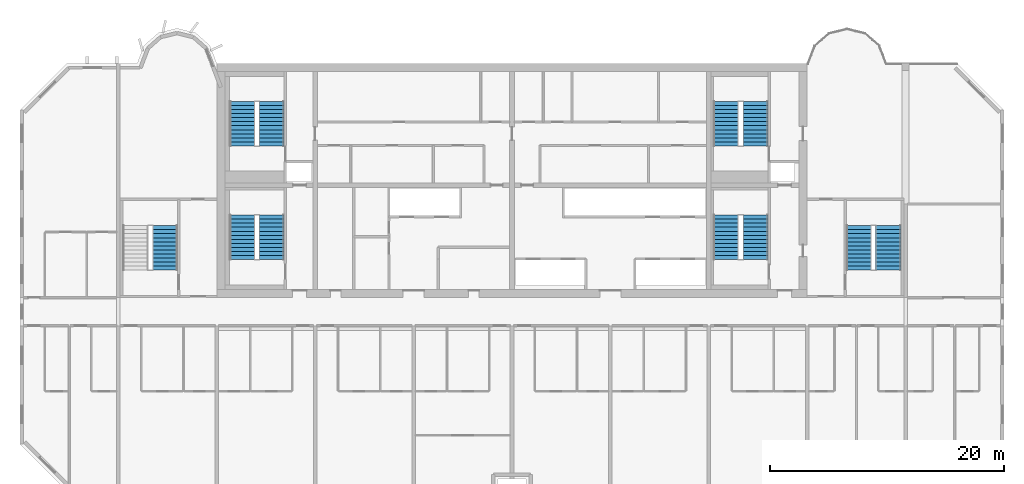
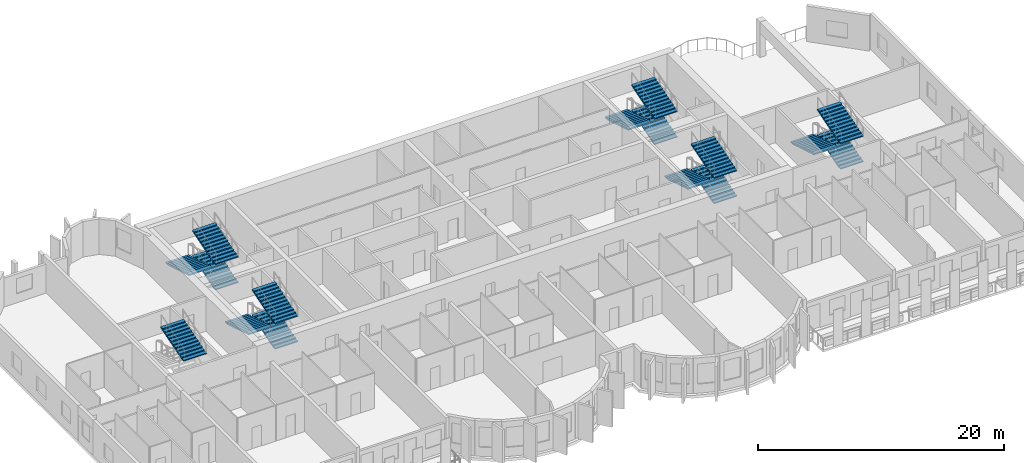
# One storey, part 10 of 13: 16 stair flights, 6 elements without a shape of their own.
"""IFC4 building model written with IfcOpenShell, lengths in metres."""

from ifc_helpers import new_model, si_unit, direction, frame, origin, place, context, subcontext, project, spatial, polyline, outline, extrude, source, transform, mapped, material, type_object, element, aggregate, save


model = new_model("IFC4")

# Units and contexts
model_context = context("Model", 3, precision=1e-05, world=origin(), true_north=direction((0.0, 1.0)))
body_context = subcontext(model_context, "Body", "Model", "MODEL_VIEW")
ifc_project = project(units=[si_unit("LENGTHUNIT", "METRE"), si_unit("AREAUNIT", "SQUARE_METRE"), si_unit("VOLUMEUNIT", "CUBIC_METRE"), si_unit("PLANEANGLEUNIT", "RADIAN"), si_unit("MASSUNIT", "GRAM", prefix="KILO")], contexts=[model_context])

# Site, building, storey
site_placement = place(None, origin())
site = spatial("IfcSite", under=ifc_project, at=site_placement, CompositionType="ELEMENT")
building_placement = place(site_placement, origin())
building = spatial("IfcBuilding", under=site, at=building_placement, Name="Vanashikhar Sky Hotel", CompositionType="ELEMENT")
storey_placement = place(building_placement, frame((0.0, 0.0, 185.800048828125)))
storey = spatial("IfcBuildingStorey", under=building, at=storey_placement, Name="L45", CompositionType="ELEMENT", Elevation=185.800048828125)

# Stair, stair flights
ifc_material = material(Name="Concrete M40", Category="concrete")
stair_type = type_object("IfcStairType", Name="Exit stair 2150", PredefinedType="DOUBLE_RETURN_STAIR", material=ifc_material)
stair_1_placement = place(storey_placement, origin())
stair_1 = element("IfcStair", 1, at=stair_1_placement, inside=storey, type_object=stair_type, Name="L45 Exit stair 1", PredefinedType="DOUBLE_RETURN_STAIR")
stair_flight_type = type_object("IfcStairFlightType", Name="Stair flight 2150", PredefinedType="STRAIGHT", material=ifc_material)
shared_shape = source(origin(), body_context, "Body", "SweptSolid", [
    extrude(outline(polyline([(0.0, 0.0), (0.0, 0.10546875), (0.345458984375, 0.10546875), (0.345458984375, 0.211181640625), (0.69091796875, 0.211181640625), (0.69091796875, 0.316650390625), (1.036376953125, 0.316650390625), (1.036376953125, 0.422119140625), (1.3818359375, 0.422119140625), (1.3818359375, 0.52783203125), (1.727294921875, 0.52783203125), (1.727294921875, 0.63330078125), (2.07275390625, 0.63330078125), (2.07275390625, 0.73876953125), (2.418212890625, 0.73876953125), (2.418212890625, 0.844482421875), (2.763671875, 0.844482421875), (2.763671875, 0.949951171875), (3.109130859375, 0.949951171875), (3.109130859375, 1.0556640625), (3.45458984375, 1.0556640625), (3.45458984375, 1.1611328125), (3.800048828125, 1.1611328125), (3.800048828125, 1.2666015625), (3.800048828125, 1.035400390625), (0.4111328125, 0.0), (0.0, 0.0)])), frame((0.0, 1.074951171875, 0.0), z_axis=(0.0, -1.0, 0.0), x_axis=(1.0, 0.0, 0.0)), (0.0, 0.0, 1.0), 2.14990234375),
])
stair_flight_1_placement = place(storey_placement, frame((29.875, 25.25, 0.0), z_axis=(0.0, 0.0, 1.0), x_axis=(0.0, 1.0, 0.0)))
stair_flight_1 = element("IfcStairFlight", 2, at=stair_flight_1_placement, type_object=stair_flight_type, Name="ST-C1 flight 1", NumberOfRisers=12, NumberOfTreads=11, PredefinedType="STRAIGHT", RiserHeight=0.105555556, TreadLength=0.345454545, context=body_context, shape_type="MappedRepresentation", body=[
    mapped(shared_shape, transform((0.0, 0.0, 0.0), scale=1.0)),
])
stair_flight_2_placement = place(storey_placement, frame((27.375, 29.050048828125, 1.2666015625), z_axis=(0.0, 0.0, 1.0), x_axis=(0.0, -1.0, 0.0)))
stair_flight_2 = element("IfcStairFlight", 3, at=stair_flight_2_placement, type_object=stair_flight_type, Name="ST-C1 flight 2", NumberOfRisers=12, NumberOfTreads=11, PredefinedType="STRAIGHT", RiserHeight=0.105555556, TreadLength=0.345454545, context=body_context, shape_type="MappedRepresentation", body=[
    mapped(shared_shape, transform((0.0, 0.0, 0.0), scale=1.0)),
])
stair_flight_3_placement = place(storey_placement, frame((29.875, 25.25, 2.533203125), z_axis=(0.0, 0.0, 1.0), x_axis=(0.0, 1.0, 0.0)))
stair_flight_3 = element("IfcStairFlight", 4, at=stair_flight_3_placement, type_object=stair_flight_type, Name="ST-C1 flight 3", NumberOfRisers=12, NumberOfTreads=11, PredefinedType="STRAIGHT", RiserHeight=0.105555556, TreadLength=0.345454545, context=body_context, shape_type="MappedRepresentation", body=[
    mapped(shared_shape, transform((0.0, 0.0, 0.0), scale=1.0)),
])
aggregate(stair_1, [stair_flight_1, stair_flight_2, stair_flight_3])

stair_2_placement = place(storey_placement, origin())
stair_2 = element("IfcStair", 5, at=stair_2_placement, inside=storey, type_object=stair_type, Name="L45 Exit stair 2", PredefinedType="DOUBLE_RETURN_STAIR")
stair_flight_4_placement = place(storey_placement, frame((71.175048828125, 25.25, 0.0), z_axis=(0.0, 0.0, 1.0), x_axis=(0.0, 1.0, 0.0)))
stair_flight_4 = element("IfcStairFlight", 6, at=stair_flight_4_placement, type_object=stair_flight_type, Name="ST-C2 flight 1", NumberOfRisers=12, NumberOfTreads=11, PredefinedType="STRAIGHT", RiserHeight=0.105555556, TreadLength=0.345454545, context=body_context, shape_type="MappedRepresentation", body=[
    mapped(shared_shape, transform((0.0, 0.0, 0.0), scale=1.0)),
])
stair_flight_5_placement = place(storey_placement, frame((68.675048828125, 29.050048828125, 1.2666015625), z_axis=(0.0, 0.0, 1.0), x_axis=(0.0, -1.0, 0.0)))
stair_flight_5 = element("IfcStairFlight", 7, at=stair_flight_5_placement, type_object=stair_flight_type, Name="ST-C2 flight 2", NumberOfRisers=12, NumberOfTreads=11, PredefinedType="STRAIGHT", RiserHeight=0.105555556, TreadLength=0.345454545, context=body_context, shape_type="MappedRepresentation", body=[
    mapped(shared_shape, transform((0.0, 0.0, 0.0), scale=1.0)),
])
stair_flight_6_placement = place(storey_placement, frame((71.175048828125, 25.25, 2.533203125), z_axis=(0.0, 0.0, 1.0), x_axis=(0.0, 1.0, 0.0)))
stair_flight_6 = element("IfcStairFlight", 8, at=stair_flight_6_placement, type_object=stair_flight_type, Name="ST-C2 flight 3", NumberOfRisers=12, NumberOfTreads=11, PredefinedType="STRAIGHT", RiserHeight=0.105555556, TreadLength=0.345454545, context=body_context, shape_type="MappedRepresentation", body=[
    mapped(shared_shape, transform((0.0, 0.0, 0.0), scale=1.0)),
])
aggregate(stair_2, [stair_flight_4, stair_flight_5, stair_flight_6])

# Stair, stair flight
stair_3_placement = place(storey_placement, origin())
stair_3 = element("IfcStair", 9, at=stair_3_placement, inside=storey, type_object=stair_type, Name="L45 Exit stair 3", PredefinedType="DOUBLE_RETURN_STAIR")
stair_flight_7_placement = place(storey_placement, frame((20.77490234375, 24.35009765625, 2.533203125), z_axis=(0.0, 0.0, 1.0), x_axis=(0.0, 1.0, 0.0)))
stair_flight_7 = element("IfcStairFlight", 10, at=stair_flight_7_placement, type_object=stair_flight_type, Name="ST-W flight 3", NumberOfRisers=12, NumberOfTreads=11, PredefinedType="STRAIGHT", RiserHeight=0.105555556, TreadLength=0.345454545, context=body_context, shape_type="MappedRepresentation", body=[
    mapped(shared_shape, transform((0.0, 0.0, 0.0), scale=1.0)),
])
aggregate(stair_3, [stair_flight_7])

# Stair, stair flights
stair_4_placement = place(storey_placement, origin())
stair_4 = element("IfcStair", 11, at=stair_4_placement, inside=storey, type_object=stair_type, Name="L45 Exit stair 4", PredefinedType="DOUBLE_RETURN_STAIR")
stair_flight_8_placement = place(storey_placement, frame((82.52490234375, 24.35009765625, 0.0), z_axis=(0.0, 0.0, 1.0), x_axis=(0.0, 1.0, 0.0)))
stair_flight_8 = element("IfcStairFlight", 12, at=stair_flight_8_placement, type_object=stair_flight_type, Name="ST-E flight 1", NumberOfRisers=12, NumberOfTreads=11, PredefinedType="STRAIGHT", RiserHeight=0.105555556, TreadLength=0.345454545, context=body_context, shape_type="MappedRepresentation", body=[
    mapped(shared_shape, transform((0.0, 0.0, 0.0), scale=1.0)),
])
stair_flight_9_placement = place(storey_placement, frame((80.02490234375, 28.14990234375, 1.2666015625), z_axis=(0.0, 0.0, 1.0), x_axis=(0.0, -1.0, 0.0)))
stair_flight_9 = element("IfcStairFlight", 13, at=stair_flight_9_placement, type_object=stair_flight_type, Name="ST-E flight 2", NumberOfRisers=12, NumberOfTreads=11, PredefinedType="STRAIGHT", RiserHeight=0.105555556, TreadLength=0.345454545, context=body_context, shape_type="MappedRepresentation", body=[
    mapped(shared_shape, transform((0.0, 0.0, 0.0), scale=1.0)),
])
stair_flight_10_placement = place(storey_placement, frame((82.52490234375, 24.35009765625, 2.533203125), z_axis=(0.0, 0.0, 1.0), x_axis=(0.0, 1.0, 0.0)))
stair_flight_10 = element("IfcStairFlight", 14, at=stair_flight_10_placement, type_object=stair_flight_type, Name="ST-E flight 3", NumberOfRisers=12, NumberOfTreads=11, PredefinedType="STRAIGHT", RiserHeight=0.105555556, TreadLength=0.345454545, context=body_context, shape_type="MappedRepresentation", body=[
    mapped(shared_shape, transform((0.0, 0.0, 0.0), scale=1.0)),
])
aggregate(stair_4, [stair_flight_8, stair_flight_9, stair_flight_10])

stair_5_placement = place(storey_placement, origin())
stair_5 = element("IfcStair", 15, at=stair_5_placement, inside=storey, type_object=stair_type, Name="L45 Exit stair 5", PredefinedType="DOUBLE_RETURN_STAIR")
stair_flight_11_placement = place(storey_placement, frame((29.875, 34.949951171875, 0.0), z_axis=(0.0, 0.0, 1.0), x_axis=(0.0, 1.0, 0.0)))
stair_flight_11 = element("IfcStairFlight", 16, at=stair_flight_11_placement, type_object=stair_flight_type, Name="ST-C3 flight 1", NumberOfRisers=12, NumberOfTreads=11, PredefinedType="STRAIGHT", RiserHeight=0.105555556, TreadLength=0.345454545, context=body_context, shape_type="MappedRepresentation", body=[
    mapped(shared_shape, transform((0.0, 0.0, 0.0), scale=1.0)),
])
stair_flight_12_placement = place(storey_placement, frame((27.375, 38.75, 1.2666015625), z_axis=(0.0, 0.0, 1.0), x_axis=(0.0, -1.0, 0.0)))
stair_flight_12 = element("IfcStairFlight", 17, at=stair_flight_12_placement, type_object=stair_flight_type, Name="ST-C3 flight 2", NumberOfRisers=12, NumberOfTreads=11, PredefinedType="STRAIGHT", RiserHeight=0.105555556, TreadLength=0.345454545, context=body_context, shape_type="MappedRepresentation", body=[
    mapped(shared_shape, transform((0.0, 0.0, 0.0), scale=1.0)),
])
stair_flight_13_placement = place(storey_placement, frame((29.875, 34.949951171875, 2.533203125), z_axis=(0.0, 0.0, 1.0), x_axis=(0.0, 1.0, 0.0)))
stair_flight_13 = element("IfcStairFlight", 18, at=stair_flight_13_placement, type_object=stair_flight_type, Name="ST-C3 flight 3", NumberOfRisers=12, NumberOfTreads=11, PredefinedType="STRAIGHT", RiserHeight=0.105555556, TreadLength=0.345454545, context=body_context, shape_type="MappedRepresentation", body=[
    mapped(shared_shape, transform((0.0, 0.0, 0.0), scale=1.0)),
])
aggregate(stair_5, [stair_flight_11, stair_flight_12, stair_flight_13])

stair_6_placement = place(storey_placement, origin())
stair_6 = element("IfcStair", 19, at=stair_6_placement, inside=storey, type_object=stair_type, Name="L45 Exit stair 6", PredefinedType="DOUBLE_RETURN_STAIR")
stair_flight_14_placement = place(storey_placement, frame((71.175048828125, 34.949951171875, 0.0), z_axis=(0.0, 0.0, 1.0), x_axis=(0.0, 1.0, 0.0)))
stair_flight_14 = element("IfcStairFlight", 20, at=stair_flight_14_placement, type_object=stair_flight_type, Name="ST-C4 flight 1", NumberOfRisers=12, NumberOfTreads=11, PredefinedType="STRAIGHT", RiserHeight=0.105555556, TreadLength=0.345454545, context=body_context, shape_type="MappedRepresentation", body=[
    mapped(shared_shape, transform((0.0, 0.0, 0.0), scale=1.0)),
])
stair_flight_15_placement = place(storey_placement, frame((68.675048828125, 38.75, 1.2666015625), z_axis=(0.0, 0.0, 1.0), x_axis=(0.0, -1.0, 0.0)))
stair_flight_15 = element("IfcStairFlight", 21, at=stair_flight_15_placement, type_object=stair_flight_type, Name="ST-C4 flight 2", NumberOfRisers=12, NumberOfTreads=11, PredefinedType="STRAIGHT", RiserHeight=0.105555556, TreadLength=0.345454545, context=body_context, shape_type="MappedRepresentation", body=[
    mapped(shared_shape, transform((0.0, 0.0, 0.0), scale=1.0)),
])
stair_flight_16_placement = place(storey_placement, frame((71.175048828125, 34.949951171875, 2.533203125), z_axis=(0.0, 0.0, 1.0), x_axis=(0.0, 1.0, 0.0)))
stair_flight_16 = element("IfcStairFlight", 22, at=stair_flight_16_placement, type_object=stair_flight_type, Name="ST-C4 flight 3", NumberOfRisers=12, NumberOfTreads=11, PredefinedType="STRAIGHT", RiserHeight=0.105555556, TreadLength=0.345454545, context=body_context, shape_type="MappedRepresentation", body=[
    mapped(shared_shape, transform((0.0, 0.0, 0.0), scale=1.0)),
])
aggregate(stair_6, [stair_flight_14, stair_flight_15, stair_flight_16])

save(model, "model.ifc")
